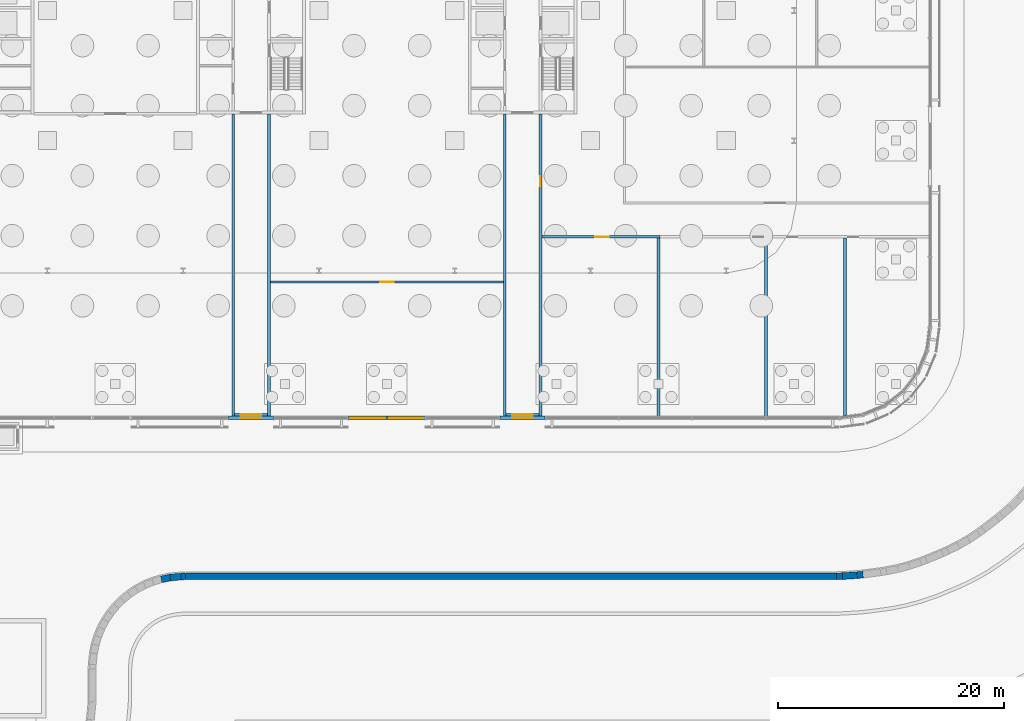
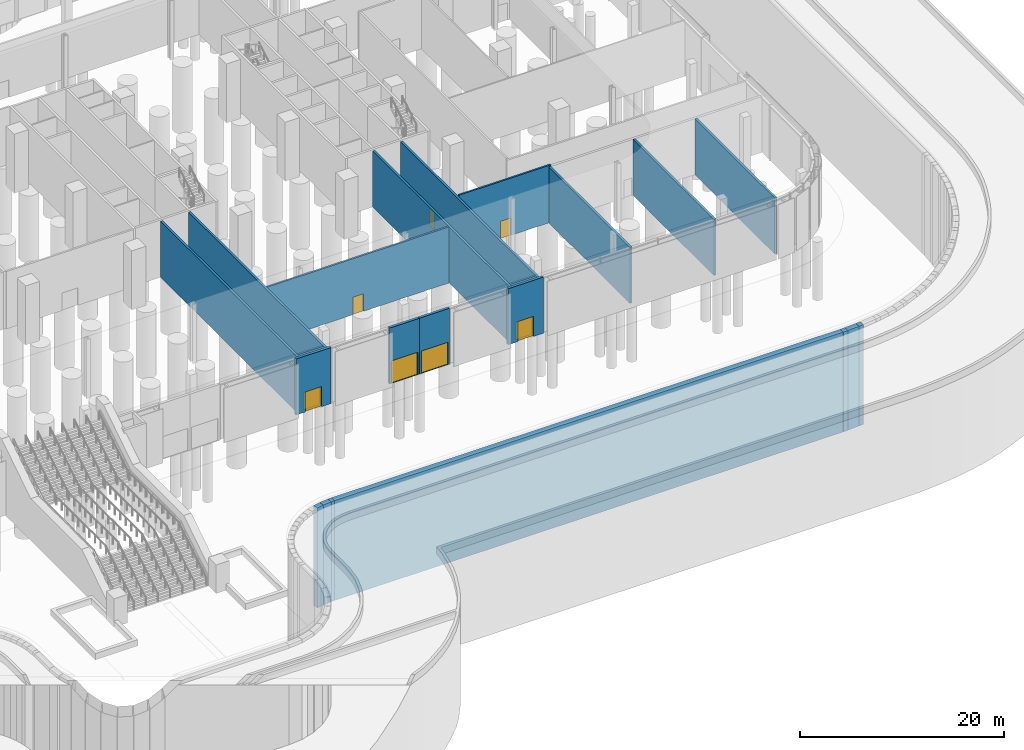
# One storey, part 22 of 48: 22 walls, 9 doors, 9 openings.
"""IFC4 building model written with IfcOpenShell, lengths in metres."""

from ifc_helpers import new_model, si_unit, direction, frame, frame_2d, origin, place, context, subcontext, project, spatial, rectangle, extrude, material, layer, layer_set, type_object, element, fill, save


model = new_model("IFC4")

# Units and contexts
model_context = context("Model", 3, precision=1e-05, world=origin(), true_north=direction((0.0, 1.0)))
body_context = subcontext(model_context, "Body", "Model", "MODEL_VIEW")
ifc_project = project(units=[si_unit("LENGTHUNIT", "METRE"), si_unit("AREAUNIT", "SQUARE_METRE"), si_unit("VOLUMEUNIT", "CUBIC_METRE"), si_unit("PLANEANGLEUNIT", "RADIAN"), si_unit("MASSUNIT", "GRAM", prefix="KILO")], contexts=[model_context])

# Site, building, storey
site_placement = place(None, origin())
site = spatial("IfcSite", under=ifc_project, at=site_placement, CompositionType="ELEMENT")
building_placement = place(site_placement, origin())
building = spatial("IfcBuilding", under=site, at=building_placement, Name="Mahtab Terrace Research Tower", CompositionType="ELEMENT")
storey_placement = place(building_placement, origin())
storey = spatial("IfcBuildingStorey", under=building, at=storey_placement, Name="G", CompositionType="ELEMENT", Elevation=0.0)

# Walls
ifc_material_1 = material(Name="Concrete C70/85", Category="concrete")
ifc_layer_1 = layer(ifc_material_1, 0.25)
ifc_layer_set_1 = layer_set([ifc_layer_1], Name="Core wall 250")
wall_type_1 = type_object("IfcWallType", Name="Core wall 250", PredefinedType="SOLIDWALL", material=ifc_layer_set_1)
for number, where, z_axis, x_axis, name in (
    (1, (-1.574951171875, -35.85009765625, 0.0), (0.0, 0.0, 1.0), (0.0, 1.0, 0.0), "Exit passage ST2 wall W"),
    (2, (1.574951171875, -35.85009765625, 0.0), (0.0, 0.0, 1.0), (0.0, 1.0, 0.0), "Exit passage ST2 wall E"),
):
    element("IfcWall", number, at=place(storey_placement, frame(where, z_axis=z_axis, x_axis=x_axis)), inside=storey, type_object=wall_type_1, Name=name, PredefinedType="SOLIDWALL", context=body_context, shape_type="SweptSolid", body=[
        extrude(rectangle(XDim=26.72509765625, YDim=0.25, at=frame_2d((13.362548828125, 0.0))), origin(), (0.0, 0.0, 1.0), 6.699951171875),
    ])

# Wall, opening, door
wall_1_placement = place(storey_placement, frame((1.449951171875, -35.72509765625, 0.0), z_axis=(0.0, 0.0, 1.0), x_axis=(-1.0, 0.0, 0.0)))
wall_1 = element("IfcWall", 3, at=wall_1_placement, inside=storey, type_object=wall_type_1, Name="Exit passage ST2 end wall", PredefinedType="SOLIDWALL", context=body_context, shape_type="SweptSolid", body=[
    extrude(rectangle(XDim=2.89990234375, YDim=0.25, at=frame_2d((1.449951171875, 0.0))), origin(), (0.0, 0.0, 1.0), 6.699951171875),
])
opening_1_placement = place(wall_1_placement, frame((0.550048828125, 0.0, 0.0)))
opening_1 = element("IfcOpeningElement", 4, at=opening_1_placement, cuts=wall_1, Name="Opening EX-ST2", PredefinedType="OPENING", context=body_context, shape_type="SweptSolid", body=[
    extrude(rectangle(XDim=1.800048828125, YDim=2.10009765625, at=frame_2d((0.89990234375, 1.050048828125))), frame((0.0, 0.135009765625, 0.0), z_axis=(0.0, -1.0, 0.0), x_axis=(1.0, 0.0, 0.0)), (0.0, 0.0, 1.0), 0.27001953125),
])
ifc_material_2 = material(Name="Steel and glass door", Category="steel")
door_type_1 = type_object("IfcDoorType", Name="Exit door 1800x2100", OperationType="DOUBLE_DOOR_SINGLE_SWING", PredefinedType="DOOR", material=ifc_material_2)
door_1_placement = place(opening_1_placement, origin())
door_1 = element("IfcDoor", 5, at=door_1_placement, inside=storey, type_object=door_type_1, Name="Exit door ST2", OperationType="DOUBLE_DOOR_SINGLE_SWING", OverallHeight=2.10009765625, OverallWidth=1.800048828125, PredefinedType="DOOR", context=body_context, shape_type="SweptSolid", body=[
    extrude(rectangle(XDim=1.800048828125, YDim=2.10009765625, at=frame_2d((0.89990234375, 1.050048828125))), frame((0.0, 0.02490234375, 0.0), z_axis=(0.0, -1.0, 0.0), x_axis=(1.0, 0.0, 0.0)), (0.0, 0.0, 1.0), 0.050048828125),
])
fill(opening_1, door_1)

# Wall
wall_2_placement = place(storey_placement, frame((22.425048828125, -35.85009765625, 0.0), z_axis=(0.0, 0.0, 1.0), x_axis=(0.0, 1.0, 0.0)))
element("IfcWall", 6, at=wall_2_placement, inside=storey, type_object=wall_type_1, Name="Exit passage ST4 wall W", PredefinedType="SOLIDWALL", context=body_context, shape_type="SweptSolid", body=[
    extrude(rectangle(XDim=26.72509765625, YDim=0.25, at=frame_2d((13.362548828125, 0.0))), origin(), (0.0, 0.0, 1.0), 6.699951171875),
])

# Wall, opening, door
wall_3_placement = place(storey_placement, frame((25.574951171875, -35.85009765625, 0.0), z_axis=(0.0, 0.0, 1.0), x_axis=(0.0, 1.0, 0.0)))
wall_3 = element("IfcWall", 7, at=wall_3_placement, inside=storey, type_object=wall_type_1, Name="Exit passage ST4 wall E", PredefinedType="SOLIDWALL", context=body_context, shape_type="SweptSolid", body=[
    extrude(rectangle(XDim=26.72509765625, YDim=0.25, at=frame_2d((13.362548828125, 0.0))), origin(), (0.0, 0.0, 1.0), 6.699951171875),
])
opening_2_placement = place(wall_3_placement, frame((20.300048828125, 0.0, 0.0)))
opening_2 = element("IfcOpeningElement", 8, at=opening_2_placement, cuts=wall_3, Name="Opening G-EXIT-4", PredefinedType="OPENING", context=body_context, shape_type="SweptSolid", body=[
    extrude(rectangle(XDim=0.89990234375, YDim=2.10009765625, at=frame_2d((0.449951171875, 1.050048828125))), frame((0.0, 0.135009765625, 0.0), z_axis=(0.0, -1.0, 0.0), x_axis=(1.0, 0.0, 0.0)), (0.0, 0.0, 1.0), 0.27001953125),
])
ifc_material_3 = material(Name="Timber door leaf in steel frame", Category="steel")
door_type_2 = type_object("IfcDoorType", Name="DOOR 0900X2100 FD120", OperationType="SINGLE_SWING_LEFT", PredefinedType="DOOR", material=ifc_material_3)
door_2_placement = place(opening_2_placement, origin())
door_2 = element("IfcDoor", 9, at=door_2_placement, inside=storey, type_object=door_type_2, Name="Door G-EXIT-4", OperationType="SINGLE_SWING_LEFT", OverallHeight=2.10009765625, OverallWidth=0.89990234375, PredefinedType="DOOR", context=body_context, shape_type="SweptSolid", body=[
    extrude(rectangle(XDim=0.89990234375, YDim=2.10009765625, at=frame_2d((0.449951171875, 1.050048828125))), frame((0.0, 0.02490234375, 0.0), z_axis=(0.0, -1.0, 0.0), x_axis=(1.0, 0.0, 0.0)), (0.0, 0.0, 1.0), 0.050048828125),
])
fill(opening_2, door_2)

wall_4_placement = place(storey_placement, frame((25.449951171875, -35.72509765625, 0.0), z_axis=(0.0, 0.0, 1.0), x_axis=(-1.0, 0.0, 0.0)))
wall_4 = element("IfcWall", 10, at=wall_4_placement, inside=storey, type_object=wall_type_1, Name="Exit passage ST4 end wall", PredefinedType="SOLIDWALL", context=body_context, shape_type="SweptSolid", body=[
    extrude(rectangle(XDim=2.89990234375, YDim=0.25, at=frame_2d((1.449951171875, 0.0))), origin(), (0.0, 0.0, 1.0), 6.699951171875),
])
opening_3_placement = place(wall_4_placement, frame((0.550048828125, 0.0, 0.0)))
opening_3 = element("IfcOpeningElement", 11, at=opening_3_placement, cuts=wall_4, Name="Opening EX-ST4", PredefinedType="OPENING", context=body_context, shape_type="SweptSolid", body=[
    extrude(rectangle(XDim=1.800048828125, YDim=2.10009765625, at=frame_2d((0.89990234375, 1.050048828125))), frame((0.0, 0.135009765625, 0.0), z_axis=(0.0, -1.0, 0.0), x_axis=(1.0, 0.0, 0.0)), (0.0, 0.0, 1.0), 0.27001953125),
])
door_3_placement = place(opening_3_placement, origin())
door_3 = element("IfcDoor", 12, at=door_3_placement, inside=storey, type_object=door_type_1, Name="Exit door ST4", OperationType="DOUBLE_DOOR_SINGLE_SWING", OverallHeight=2.10009765625, OverallWidth=1.800048828125, PredefinedType="DOOR", context=body_context, shape_type="SweptSolid", body=[
    extrude(rectangle(XDim=1.800048828125, YDim=2.10009765625, at=frame_2d((0.89990234375, 1.050048828125))), frame((0.0, 0.02490234375, 0.0), z_axis=(0.0, -1.0, 0.0), x_axis=(1.0, 0.0, 0.0)), (0.0, 0.0, 1.0), 0.050048828125),
])
fill(opening_3, door_3)

ifc_material_4 = material(Name="Precast concrete C40/50", Category="concrete")
ifc_layer_2 = layer(ifc_material_4, 0.300048828125)
ifc_layer_set_2 = layer_set([ifc_layer_2], Name="Ground facade infill wall 300")
wall_type_2 = type_object("IfcWallType", Name="Ground facade infill wall 300", PredefinedType="NOTDEFINED", material=ifc_layer_set_2)
wall_5_placement = place(storey_placement, frame((2.0, -36.0, 0.0), z_axis=(0.0, 0.0, 1.0), x_axis=(-1.0, 0.0, 0.0)))
wall_5 = element("IfcWall", 13, at=wall_5_placement, inside=storey, type_object=wall_type_2, Name="Ground facade wall Stair discharge ST2", PredefinedType="NOTDEFINED", context=body_context, shape_type="SweptSolid", body=[
    extrude(rectangle(XDim=4.0, YDim=0.300048828125, at=frame_2d((2.0, 0.0))), origin(), (0.0, 0.0, 1.0), 6.699951171875),
])
opening_4_placement = place(wall_5_placement, frame((1.10009765625, 0.0, 0.0)))
opening_4 = element("IfcOpeningElement", 14, at=opening_4_placement, cuts=wall_5, Name="Opening ED3", PredefinedType="OPENING", context=body_context, shape_type="SweptSolid", body=[
    extrude(rectangle(XDim=1.800048828125, YDim=2.39990234375, at=frame_2d((0.89990234375, 1.199951171875))), frame((0.0, 0.159912109375, 0.0), z_axis=(0.0, -1.0, 0.0), x_axis=(1.0, 0.0, 0.0)), (0.0, 0.0, 1.0), 0.320068359375),
])
ifc_material_5 = material(Name="Black anodised aluminium", Category="aluminium")
door_type_3 = type_object("IfcDoorType", Name="Stair discharge door 1800x2400", OperationType="DOUBLE_DOOR_DOUBLE_SWING", PredefinedType="DOOR", material=ifc_material_5)
door_4_placement = place(opening_4_placement, origin())
door_4 = element("IfcDoor", 15, at=door_4_placement, inside=storey, type_object=door_type_3, Name="Stair discharge ST2", OperationType="SINGLE_SWING_LEFT", OverallHeight=2.39990234375, OverallWidth=1.800048828125, PredefinedType="DOOR", context=body_context, shape_type="SweptSolid", body=[
    extrude(rectangle(XDim=1.800048828125, YDim=2.39990234375, at=frame_2d((0.89990234375, 1.199951171875))), frame((0.0, 0.02490234375, 0.0), z_axis=(0.0, -1.0, 0.0), x_axis=(1.0, 0.0, 0.0)), (0.0, 0.0, 1.0), 0.050048828125),
])
fill(opening_4, door_4)

wall_6_placement = place(storey_placement, frame((12.0, -36.0, 0.0), z_axis=(0.0, 0.0, 1.0), x_axis=(-1.0, 0.0, 0.0)))
wall_6 = element("IfcWall", 16, at=wall_6_placement, inside=storey, type_object=wall_type_2, Name="Ground facade wall Cafe entrance 1", PredefinedType="NOTDEFINED", context=body_context, shape_type="SweptSolid", body=[
    extrude(rectangle(XDim=3.39990234375, YDim=0.300048828125, at=frame_2d((1.699951171875, 0.0))), origin(), (0.0, 0.0, 1.0), 6.699951171875),
])
opening_5_placement = place(wall_6_placement, frame((0.199951171875, 0.0, 0.0)))
opening_5 = element("IfcOpeningElement", 17, at=opening_5_placement, cuts=wall_6, Name="Opening ED2", PredefinedType="OPENING", context=body_context, shape_type="SweptSolid", body=[
    extrude(rectangle(XDim=3.0, YDim=2.699951171875, at=frame_2d((1.5, 1.35009765625))), frame((0.0, 0.159912109375, 0.0), z_axis=(0.0, -1.0, 0.0), x_axis=(1.0, 0.0, 0.0)), (0.0, 0.0, 1.0), 0.320068359375),
])
door_type_4 = type_object("IfcDoorType", Name="Entrance double door 3000x2700", OperationType="DOUBLE_DOOR_DOUBLE_SWING", PredefinedType="DOOR", material=ifc_material_5)
door_5_placement = place(opening_5_placement, origin())
door_5 = element("IfcDoor", 18, at=door_5_placement, inside=storey, type_object=door_type_4, Name="Cafe entrance 1", OperationType="SINGLE_SWING_LEFT", OverallHeight=2.699951171875, OverallWidth=3.0, PredefinedType="DOOR", context=body_context, shape_type="SweptSolid", body=[
    extrude(rectangle(XDim=3.0, YDim=2.699951171875, at=frame_2d((1.5, 1.35009765625))), frame((0.0, 0.02490234375, 0.0), z_axis=(0.0, -1.0, 0.0), x_axis=(1.0, 0.0, 0.0)), (0.0, 0.0, 1.0), 0.050048828125),
])
fill(opening_5, door_5)

wall_7_placement = place(storey_placement, frame((15.39990234375, -36.0, 0.0), z_axis=(0.0, 0.0, 1.0), x_axis=(-1.0, 0.0, 0.0)))
wall_7 = element("IfcWall", 19, at=wall_7_placement, inside=storey, type_object=wall_type_2, Name="Ground facade wall Cafe entrance 2", PredefinedType="NOTDEFINED", context=body_context, shape_type="SweptSolid", body=[
    extrude(rectangle(XDim=3.39990234375, YDim=0.300048828125, at=frame_2d((1.699951171875, 0.0))), origin(), (0.0, 0.0, 1.0), 6.699951171875),
])
opening_6_placement = place(wall_7_placement, frame((0.199951171875, 0.0, 0.0)))
opening_6 = element("IfcOpeningElement", 20, at=opening_6_placement, cuts=wall_7, Name="Opening ED2", PredefinedType="OPENING", context=body_context, shape_type="SweptSolid", body=[
    extrude(rectangle(XDim=3.0, YDim=2.699951171875, at=frame_2d((1.5, 1.35009765625))), frame((0.0, 0.159912109375, 0.0), z_axis=(0.0, -1.0, 0.0), x_axis=(1.0, 0.0, 0.0)), (0.0, 0.0, 1.0), 0.320068359375),
])
door_6_placement = place(opening_6_placement, origin())
door_6 = element("IfcDoor", 21, at=door_6_placement, inside=storey, type_object=door_type_4, Name="Cafe entrance 2", OperationType="SINGLE_SWING_LEFT", OverallHeight=2.699951171875, OverallWidth=3.0, PredefinedType="DOOR", context=body_context, shape_type="SweptSolid", body=[
    extrude(rectangle(XDim=3.0, YDim=2.699951171875, at=frame_2d((1.5, 1.35009765625))), frame((0.0, 0.02490234375, 0.0), z_axis=(0.0, -1.0, 0.0), x_axis=(1.0, 0.0, 0.0)), (0.0, 0.0, 1.0), 0.050048828125),
])
fill(opening_6, door_6)

wall_8_placement = place(storey_placement, frame((26.0, -36.0, 0.0), z_axis=(0.0, 0.0, 1.0), x_axis=(-1.0, 0.0, 0.0)))
wall_8 = element("IfcWall", 22, at=wall_8_placement, inside=storey, type_object=wall_type_2, Name="Ground facade wall Stair discharge ST4", PredefinedType="NOTDEFINED", context=body_context, shape_type="SweptSolid", body=[
    extrude(rectangle(XDim=4.0, YDim=0.300048828125, at=frame_2d((2.0, 0.0))), origin(), (0.0, 0.0, 1.0), 6.699951171875),
])
opening_7_placement = place(wall_8_placement, frame((1.10009765625, 0.0, 0.0)))
opening_7 = element("IfcOpeningElement", 23, at=opening_7_placement, cuts=wall_8, Name="Opening ED3", PredefinedType="OPENING", context=body_context, shape_type="SweptSolid", body=[
    extrude(rectangle(XDim=1.800048828125, YDim=2.39990234375, at=frame_2d((0.89990234375, 1.199951171875))), frame((0.0, 0.159912109375, 0.0), z_axis=(0.0, -1.0, 0.0), x_axis=(1.0, 0.0, 0.0)), (0.0, 0.0, 1.0), 0.320068359375),
])
door_7_placement = place(opening_7_placement, origin())
door_7 = element("IfcDoor", 24, at=door_7_placement, inside=storey, type_object=door_type_3, Name="Stair discharge ST4", OperationType="SINGLE_SWING_LEFT", OverallHeight=2.39990234375, OverallWidth=1.800048828125, PredefinedType="DOOR", context=body_context, shape_type="SweptSolid", body=[
    extrude(rectangle(XDim=1.800048828125, YDim=2.39990234375, at=frame_2d((0.89990234375, 1.199951171875))), frame((0.0, 0.02490234375, 0.0), z_axis=(0.0, -1.0, 0.0), x_axis=(1.0, 0.0, 0.0)), (0.0, 0.0, 1.0), 0.050048828125),
])
fill(opening_7, door_7)

# Walls
ifc_material_6 = material(Name="Concrete C32/40", Category="concrete")
ifc_layer_3 = layer(ifc_material_6, 0.60009765625)
ifc_layer_set_3 = layer_set([ifc_layer_3], Name="Site retaining wall 600")
wall_type_3 = type_object("IfcWallType", Name="Site retaining wall 600", PredefinedType="SOLIDWALL", material=ifc_layer_set_3)
wall_9_placement = place(storey_placement, frame((54.090087890625, -49.845947265625, -12.25), z_axis=(0.0, 0.0, 1.0), x_axis=(-0.995255962326, -0.097291158151, 0.0)))
element("IfcWall", 25, at=wall_9_placement, inside=storey, type_object=wall_type_3, Name="Site retaining wall 149", PredefinedType="SOLIDWALL", context=body_context, shape_type="SweptSolid", body=[
    extrude(rectangle(XDim=0.5244140625, YDim=0.60009765625, at=frame_2d((0.26220703125, 0.0))), origin(), (0.0, 0.0, 1.0), 11.93994140625),
])
wall_10_placement = place(storey_placement, frame((53.568115234375, -49.89697265625, -12.25), z_axis=(0.0, 0.0, 1.0), x_axis=(-0.997842550974, -0.065652444475, 0.0)))
element("IfcWall", 26, at=wall_10_placement, inside=storey, type_object=wall_type_3, Name="Site retaining wall 150", PredefinedType="SOLIDWALL", context=body_context, shape_type="SweptSolid", body=[
    extrude(rectangle(XDim=1.30908203125, YDim=0.60009765625, at=frame_2d((0.654541015625, 0.0))), origin(), (0.0, 0.0, 1.0), 11.93994140625),
])
wall_11_placement = place(storey_placement, frame((52.261962890625, -49.98291015625, -12.25), z_axis=(0.0, 0.0, 1.0), x_axis=(-0.999468430254, -0.032601486541, 0.0)))
element("IfcWall", 27, at=wall_11_placement, inside=storey, type_object=wall_type_3, Name="Site retaining wall 151", PredefinedType="SOLIDWALL", context=body_context, shape_type="SweptSolid", body=[
    extrude(rectangle(XDim=0.524169921875, YDim=0.60009765625, at=frame_2d((0.26220703125, 0.0))), origin(), (0.0, 0.0, 1.0), 11.93994140625),
])
wall_12_placement = place(storey_placement, frame((51.738037109375, -50.0, -12.25), z_axis=(0.0, 0.0, 1.0), x_axis=(-1.0, 0.0, 0.0)))
element("IfcWall", 28, at=wall_12_placement, inside=storey, type_object=wall_type_3, Name="Site retaining wall 152", PredefinedType="SOLIDWALL", context=body_context, shape_type="SweptSolid", body=[
    extrude(rectangle(XDim=57.5419921875, YDim=0.60009765625, at=frame_2d((28.77099609375, 0.0))), origin(), (0.0, 0.0, 1.0), 11.93994140625),
])
wall_13_placement = place(storey_placement, frame((-5.803955078125, -50.0, -12.25), z_axis=(0.0, 0.0, 1.0), x_axis=(-0.998816787199, -0.048631528965, 0.0)))
element("IfcWall", 29, at=wall_13_placement, inside=storey, type_object=wall_type_3, Name="Site retaining wall 153", PredefinedType="SOLIDWALL", context=body_context, shape_type="SweptSolid", body=[
    extrude(rectangle(XDim=0.3916015625, YDim=0.60009765625, at=frame_2d((0.19580078125, 0.0))), origin(), (0.0, 0.0, 1.0), 11.93994140625),
])
wall_14_placement = place(storey_placement, frame((-6.195068359375, -50.01904296875, -12.25), z_axis=(0.0, 0.0, 1.0), x_axis=(-0.995191438552, -0.097948969534, 0.0)))
element("IfcWall", 30, at=wall_14_placement, inside=storey, type_object=wall_type_3, Name="Site retaining wall 154", PredefinedType="SOLIDWALL", context=body_context, shape_type="SweptSolid", body=[
    extrude(rectangle(XDim=0.9794921875, YDim=0.60009765625, at=frame_2d((0.48974609375, 0.0))), origin(), (0.0, 0.0, 1.0), 11.93994140625),
])
wall_15_placement = place(storey_placement, frame((-7.169921875, -50.114990234375, -12.25), z_axis=(0.0, 0.0, 1.0), x_axis=(-0.980664616578, -0.195695962634, 0.0)))
element("IfcWall", 31, at=wall_15_placement, inside=storey, type_object=wall_type_3, Name="Site retaining wall 155", PredefinedType="SOLIDWALL", context=body_context, shape_type="SweptSolid", body=[
    extrude(rectangle(XDim=0.7822265625, YDim=0.60009765625, at=frame_2d((0.39111328125, 0.0))), origin(), (0.0, 0.0, 1.0), 11.93994140625),
])
ifc_material_7 = material(Name="Masonry control area wall", Category="masonry")
ifc_layer_4 = layer(ifc_material_7, 0.25)
ifc_layer_set_4 = layer_set([ifc_layer_4], Name="WALL CONTROL AREA 250")
wall_type_4 = type_object("IfcWallType", Name="WALL CONTROL AREA 250", PredefinedType="PARTITIONING", material=ifc_layer_set_4)
wall_16_placement = place(storey_placement, frame((36.0, -35.97509765625, 0.0), z_axis=(0.0, 0.0, 1.0), x_axis=(0.0, 1.0, 0.0)))
element("IfcWall", 32, at=wall_16_placement, inside=storey, type_object=wall_type_4, Name="G-W027", PredefinedType="PARTITIONING", context=body_context, shape_type="SweptSolid", body=[
    extrude(rectangle(XDim=15.875, YDim=0.25, at=frame_2d((7.9375, 0.0))), origin(), (0.0, 0.0, 1.0), 6.699951171875),
])
wall_17_placement = place(storey_placement, frame((45.5, -35.97509765625, 0.0), z_axis=(0.0, 0.0, 1.0), x_axis=(0.0, 1.0, 0.0)))
element("IfcWall", 33, at=wall_17_placement, inside=storey, type_object=wall_type_4, Name="G-W030", PredefinedType="PARTITIONING", context=body_context, shape_type="SweptSolid", body=[
    extrude(rectangle(XDim=15.85009765625, YDim=0.25, at=frame_2d((7.925048828125, 0.0))), origin(), (0.0, 0.0, 1.0), 6.699951171875),
])
wall_18_placement = place(storey_placement, frame((52.5, -35.782958984375, 0.0), z_axis=(0.0, 0.0, 1.0), x_axis=(0.0, 1.0, 0.0)))
element("IfcWall", 34, at=wall_18_placement, inside=storey, type_object=wall_type_4, Name="G-W033", PredefinedType="PARTITIONING", context=body_context, shape_type="SweptSolid", body=[
    extrude(rectangle(XDim=15.657958984375, YDim=0.25, at=frame_2d((7.8291015625, 0.0))), origin(), (0.0, 0.0, 1.0), 6.699951171875),
])

# Wall, opening, door
ifc_material_8 = material(Name="Gypsum board corridor wall on steel studs", Category="steel")
ifc_layer_5 = layer(ifc_material_8, 0.199951171875)
ifc_layer_set_5 = layer_set([ifc_layer_5], Name="WALL CORRIDOR 200")
wall_type_5 = type_object("IfcWallType", Name="WALL CORRIDOR 200", PredefinedType="PARTITIONING", material=ifc_layer_set_5)
wall_19_placement = place(storey_placement, frame((1.699951171875, -24.0, 0.0), z_axis=(0.0, 0.0, 1.0), x_axis=(1.0, 0.0, 0.0)))
wall_19 = element("IfcWall", 35, at=wall_19_placement, inside=storey, type_object=wall_type_5, Name="G-W001", PredefinedType="PARTITIONING", context=body_context, shape_type="SweptSolid", body=[
    extrude(rectangle(XDim=20.60009765625, YDim=0.199951171875, at=frame_2d((10.300048828125, 0.0))), origin(), (0.0, 0.0, 1.0), 6.699951171875),
])
opening_8_placement = place(wall_19_placement, frame((9.699951171875, 0.0, 0.0)))
opening_8 = element("IfcOpeningElement", 36, at=opening_8_placement, cuts=wall_19, Name="Opening G-101", PredefinedType="OPENING", context=body_context, shape_type="SweptSolid", body=[
    extrude(rectangle(XDim=1.199951171875, YDim=2.10009765625, at=frame_2d((0.60009765625, 1.050048828125))), frame((0.0, 0.10986328125, 0.0), z_axis=(0.0, -1.0, 0.0), x_axis=(1.0, 0.0, 0.0)), (0.0, 0.0, 1.0), 0.219970703125),
])
door_type_5 = type_object("IfcDoorType", Name="DOOR 1200X2100 FD30S", OperationType="SINGLE_SWING_LEFT", PredefinedType="DOOR", material=ifc_material_3)
door_8_placement = place(opening_8_placement, origin())
door_8 = element("IfcDoor", 37, at=door_8_placement, inside=storey, type_object=door_type_5, Name="Door G-101", OperationType="SINGLE_SWING_RIGHT", OverallHeight=2.10009765625, OverallWidth=1.199951171875, PredefinedType="DOOR", context=body_context, shape_type="SweptSolid", body=[
    extrude(rectangle(XDim=1.199951171875, YDim=2.10009765625, at=frame_2d((0.60009765625, 1.050048828125))), frame((0.0, 0.02490234375, 0.0), z_axis=(0.0, -1.0, 0.0), x_axis=(1.0, 0.0, 0.0)), (0.0, 0.0, 1.0), 0.050048828125),
])
fill(opening_8, door_8)

wall_20_placement = place(storey_placement, frame((25.699951171875, -20.0, 0.0), z_axis=(0.0, 0.0, 1.0), x_axis=(1.0, 0.0, 0.0)))
wall_20 = element("IfcWall", 38, at=wall_20_placement, inside=storey, type_object=wall_type_5, Name="G-W003", PredefinedType="PARTITIONING", context=body_context, shape_type="SweptSolid", body=[
    extrude(rectangle(XDim=10.425048828125, YDim=0.199951171875, at=frame_2d((5.21240234375, 0.0))), origin(), (0.0, 0.0, 1.0), 6.860107421875),
])
opening_9_placement = place(wall_20_placement, frame((4.699951171875, 0.0, 0.0)))
opening_9 = element("IfcOpeningElement", 39, at=opening_9_placement, cuts=wall_20, Name="Opening G-102", PredefinedType="OPENING", context=body_context, shape_type="SweptSolid", body=[
    extrude(rectangle(XDim=1.199951171875, YDim=2.10009765625, at=frame_2d((0.60009765625, 1.050048828125))), frame((0.0, 0.10986328125, 0.0), z_axis=(0.0, -1.0, 0.0), x_axis=(1.0, 0.0, 0.0)), (0.0, 0.0, 1.0), 0.219970703125),
])
door_9_placement = place(opening_9_placement, origin())
door_9 = element("IfcDoor", 40, at=door_9_placement, inside=storey, type_object=door_type_5, Name="Door G-102", OperationType="SINGLE_SWING_LEFT", OverallHeight=2.10009765625, OverallWidth=1.199951171875, PredefinedType="DOOR", context=body_context, shape_type="SweptSolid", body=[
    extrude(rectangle(XDim=1.199951171875, YDim=2.10009765625, at=frame_2d((0.60009765625, 1.050048828125))), frame((0.0, 0.02490234375, 0.0), z_axis=(0.0, -1.0, 0.0), x_axis=(1.0, 0.0, 0.0)), (0.0, 0.0, 1.0), 0.050048828125),
])
fill(opening_9, door_9)

save(model, "model.ifc")
